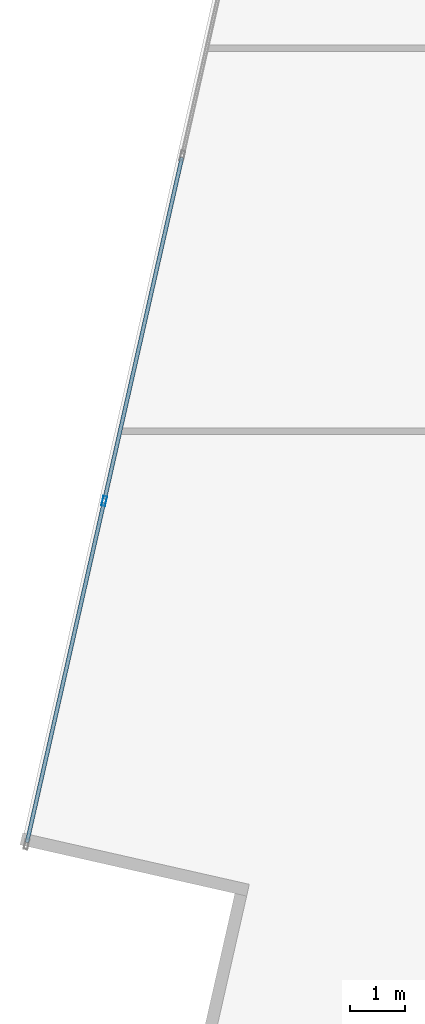
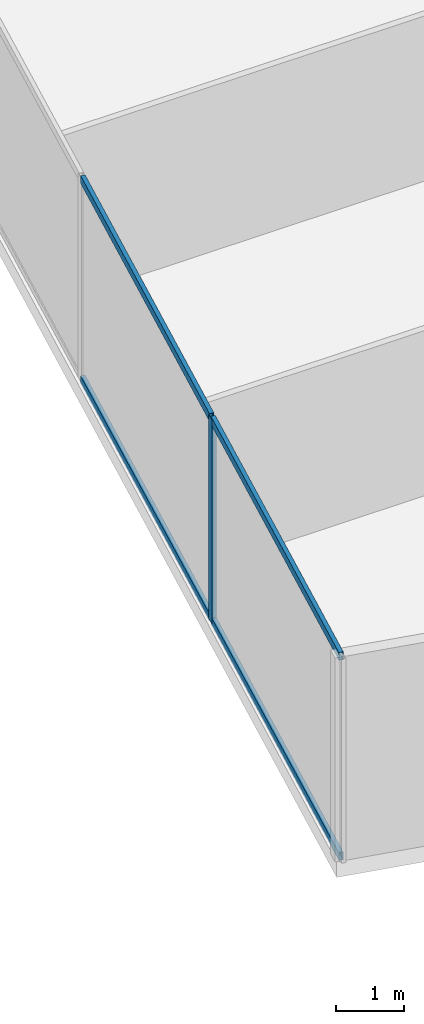
# One storey, part 6 of 26: 5 members, 1 element without a shape of its own.
"""IFC4 building model written with IfcOpenShell, lengths in metres."""

from ifc_helpers import new_model, si_unit, direction, frame, origin, origin_2d, place, context, subcontext, project, spatial, hollow_rectangle, extrude, source, transform, mapped, material, material_profile, profile_set, type_object, type_shapes, element, aggregate, save


model = new_model("IFC4")

# Units and contexts
model_context = context("Model", 3, precision=1e-05, world=origin(), true_north=direction((0.0, 1.0)))
body_context = subcontext(model_context, "Body", "Model", "MODEL_VIEW")
ifc_project = project(units=[si_unit("LENGTHUNIT", "METRE"), si_unit("AREAUNIT", "SQUARE_METRE"), si_unit("VOLUMEUNIT", "CUBIC_METRE"), si_unit("PLANEANGLEUNIT", "RADIAN"), si_unit("MASSUNIT", "GRAM", prefix="KILO")], contexts=[model_context])

# Site, building, storey
site_placement = place(None, origin())
site = spatial("IfcSite", under=ifc_project, at=site_placement, CompositionType="ELEMENT")
building_placement = place(site_placement, origin())
building = spatial("IfcBuilding", under=site, at=building_placement, Name="Krantzveldt Concourse Tower", CompositionType="ELEMENT")
storey_placement = place(building_placement, frame((0.0, 0.0, 90.050048828125)))
storey = spatial("IfcBuildingStorey", under=building, at=storey_placement, Name="L21", CompositionType="ELEMENT", Elevation=90.050048828125)

# Curtain wall, members
ifc_material = material(Name="Anodised aluminium 6063-T6", Category="aluminium")
curtain_wall_type = type_object("IfcCurtainWallType", Name="CW2", PredefinedType="USERDEFINED", material=ifc_material)
curtain_wall_placement = place(storey_placement, origin())
curtain_wall = element("IfcCurtainWall", 1, at=curtain_wall_placement, inside=storey, type_object=curtain_wall_type, Name="CW-L21-F01", ObjectType="UNITISED CURTAIN WALL", PredefinedType="USERDEFINED")
ifc_material_profile_1 = material_profile(ifc_material, hollow_rectangle(XDim=0.070068359375, YDim=0.179931640625, WallThickness=0.0048828125, at=origin_2d()), Name="Anodised aluminium 6063-T6", Category="aluminium")
ifc_profile_set_1 = profile_set([ifc_material_profile_1], Name="Anodised aluminium 6063-T6 - ALU-MULL 180x70x5")
member_type_1 = type_object("IfcMemberType", Name="CW-MUL-180", PredefinedType="MULLION", material=ifc_profile_set_1)
shared_shape_1 = source(origin(), body_context, "Body", "SweptSolid", [
    extrude(hollow_rectangle(XDim=0.070068359375, YDim=0.179931640625, WallThickness=0.0048828125, at=origin_2d()), origin(), (0.0, 0.0, 1.0), 3.669921875),
])
type_shapes(member_type_1, [shared_shape_1])
member_1_placement = place(storey_placement, frame((10.410400390625, 19.22998046875, 0.0), z_axis=(0.0, 0.0, 1.0), x_axis=(0.975342320609, -0.220697434579, 0.0)))
member_1 = element("IfcMember", 2, at=member_1_placement, type_object=member_type_1, Name="CW-Z12 mullion 6", PredefinedType="MULLION", context=body_context, shape_type="MappedRepresentation", body=[
    mapped(shared_shape_1, transform((0.0, 0.0, 0.0), x_axis=(1.0, 0.0, 0.0), y_axis=(0.0, 1.0, 0.0), z_axis=(0.0, 0.0, 1.0), scale=1.0)),
])
ifc_material_profile_2 = material_profile(ifc_material, hollow_rectangle(XDim=0.070068359375, YDim=0.139892578125, WallThickness=0.0048828125, at=origin_2d()), Name="Anodised aluminium 6063-T6", Category="aluminium")
ifc_profile_set_2 = profile_set([ifc_material_profile_2], Name="Anodised aluminium 6063-T6 - ALU-TRAN 140x70x5")
member_type_2 = type_object("IfcMemberType", Name="CW-TRN-150", PredefinedType="USERDEFINED", material=ifc_profile_set_2)
shared_shape_2 = source(origin(), body_context, "Body", "SweptSolid", [
    extrude(hollow_rectangle(XDim=0.070068359375, YDim=0.139892578125, WallThickness=0.0048828125, at=origin_2d()), origin(), (0.0, 0.0, 1.0), 6.396728515625),
])
member_2_placement = place(storey_placement, frame((11.829833984375, 25.503173828125, 0.034912109375), z_axis=(-0.220679058454, -0.975346478519, 0.0), x_axis=(0.975346478519, -0.220679058454, 0.0)))
member_2 = element("IfcMember", 3, at=member_2_placement, type_object=member_type_2, Name="CW-Z12 transom 5.1", ObjectType="TRANSOM", PredefinedType="USERDEFINED", context=body_context, shape_type="MappedRepresentation", body=[
    mapped(shared_shape_2, transform((0.0, 0.0, 0.0), x_axis=(1.0, 0.0, 0.0), y_axis=(0.0, 1.0, 0.0), z_axis=(0.0, 0.0, 1.0), scale=1.0)),
])
member_3_placement = place(storey_placement, frame((11.829833984375, 25.503173828125, 3.635009765625), z_axis=(-0.220679058454, -0.975346478519, 0.0), x_axis=(0.975346478519, -0.220679058454, 0.0)))
member_3 = element("IfcMember", 4, at=member_3_placement, type_object=member_type_2, Name="CW-Z12 transom 5.2", ObjectType="TRANSOM", PredefinedType="USERDEFINED", context=body_context, shape_type="MappedRepresentation", body=[
    mapped(shared_shape_2, transform((0.0, 0.0, 0.0), x_axis=(1.0, 0.0, 0.0), y_axis=(0.0, 1.0, 0.0), z_axis=(0.0, 0.0, 1.0), scale=1.0)),
])
shared_shape_3 = source(origin(), body_context, "Body", "SweptSolid", [
    extrude(hollow_rectangle(XDim=0.070068359375, YDim=0.139892578125, WallThickness=0.0048828125, at=origin_2d()), origin(), (0.0, 0.0, 1.0), 6.361328125),
])
type_shapes(member_type_2, [shared_shape_2, shared_shape_3])
member_4_placement = place(storey_placement, frame((10.402587890625, 19.19580078125, 0.034912109375), z_axis=(-0.220675489666, -0.975347285976, 0.0), x_axis=(0.975347285976, -0.220675489666, 0.0)))
member_4 = element("IfcMember", 5, at=member_4_placement, type_object=member_type_2, Name="CW-Z12 transom 6.1", ObjectType="TRANSOM", PredefinedType="USERDEFINED", context=body_context, shape_type="MappedRepresentation", body=[
    mapped(shared_shape_3, transform((0.0, 0.0, 0.0), x_axis=(1.0, 0.0, 0.0), y_axis=(0.0, 1.0, 0.0), z_axis=(0.0, 0.0, 1.0), scale=1.0)),
])
member_5_placement = place(storey_placement, frame((10.402587890625, 19.19580078125, 3.635009765625), z_axis=(-0.220675489666, -0.975347285976, 0.0), x_axis=(0.975347285976, -0.220675489666, 0.0)))
member_5 = element("IfcMember", 6, at=member_5_placement, type_object=member_type_2, Name="CW-Z12 transom 6.2", ObjectType="TRANSOM", PredefinedType="USERDEFINED", context=body_context, shape_type="MappedRepresentation", body=[
    mapped(shared_shape_3, transform((0.0, 0.0, 0.0), x_axis=(1.0, 0.0, 0.0), y_axis=(0.0, 1.0, 0.0), z_axis=(0.0, 0.0, 1.0), scale=1.0)),
])
aggregate(curtain_wall, [member_1, member_2, member_3, member_4, member_5])

save(model, "model.ifc")
